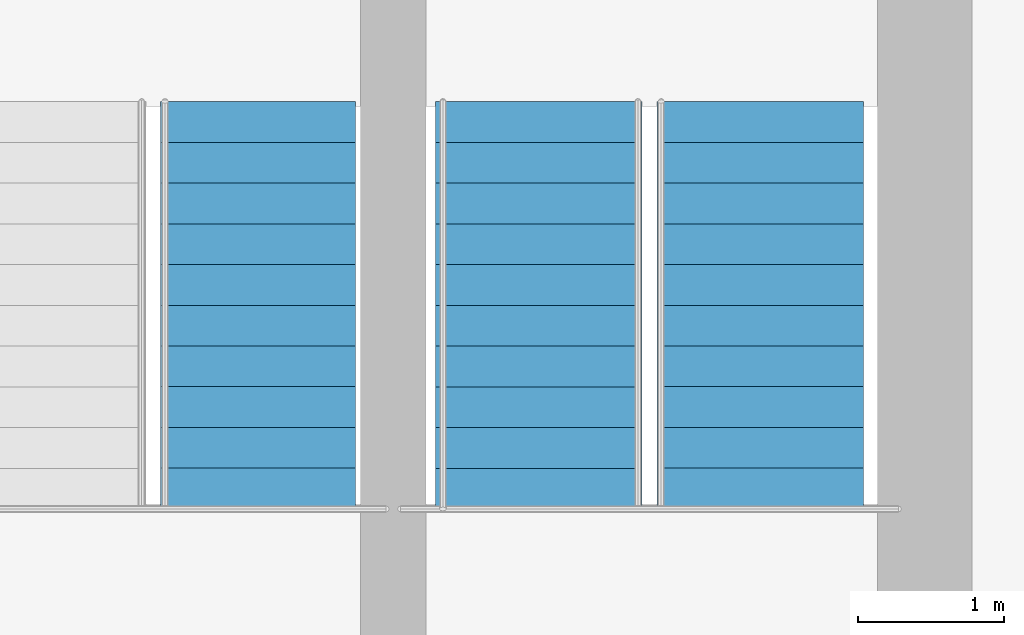
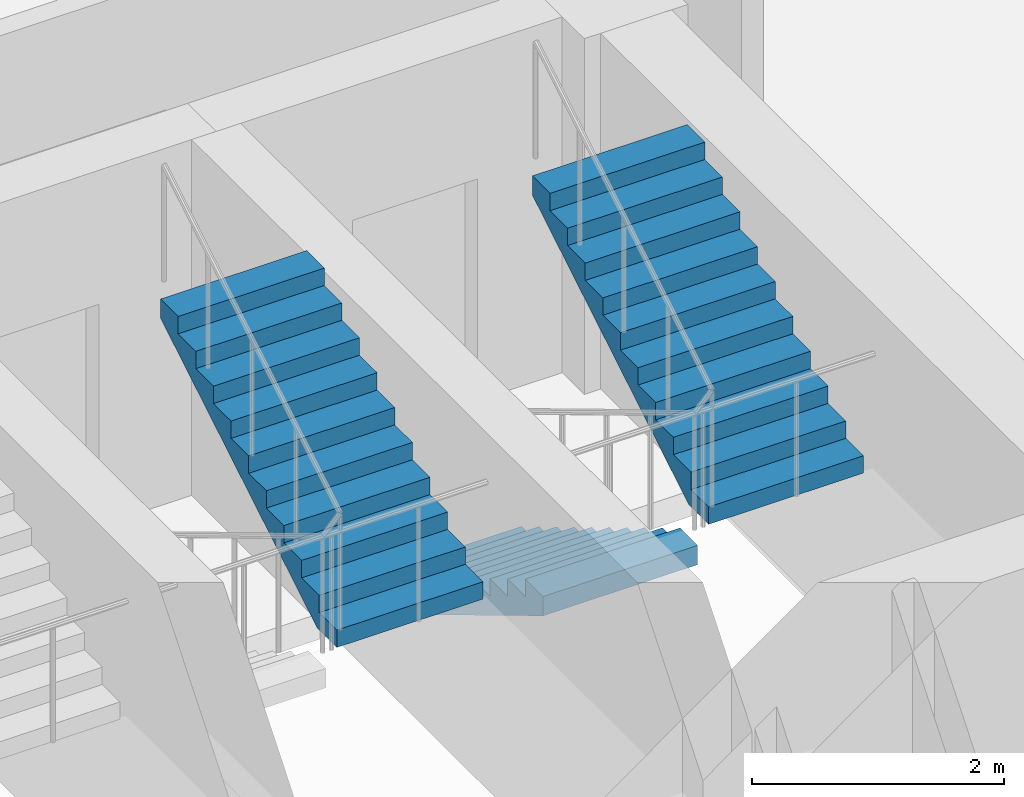
# One storey, part 25 of 26: 3 stair flights, 2 elements without a shape of their own.
"""IFC4 building model written with IfcOpenShell, lengths in metres."""

import ifcopenshell
import ifcopenshell.guid

model = None  # the IFC model being written
_history = None  # IfcOwnerHistory: only IFC2X3 demands one
_inside = {}  # id of a spatial element -> (the spatial element, [elements in it])
_under = {}  # id of a project, library or spatial element -> (it, [spatial elements below it])
_declared = {}  # id of a project -> (the project, [libraries it declares])
_typed = {}  # id of a type object -> (the type object, [elements of that type])
_made_of = {}  # id of a material, layer set ... -> (it, [elements and type objects made of it])


def new_model(schema):
    """Start an empty IFC model of exactly this schema.

    Asked for "IFC4X3", IfcOpenShell would pick the latest addendum, in which some entities
    have other attributes; the version numbers below select the first issue.
    IFC2X3 requires an IfcOwnerHistory on every rooted entity: one is made here for all.
    """
    global model, _history
    if schema == "IFC4X3":
        model = ifcopenshell.file(schema_version=(4, 3, 0, 0))
    else:
        model = ifcopenshell.file(schema=schema)
    _inside.clear()
    _under.clear()
    _declared.clear()
    _typed.clear()
    _made_of.clear()
    _history = None
    if model.schema == "IFC2X3":
        org = make("IfcOrganization", Name="unknown")
        user = make(
            "IfcPersonAndOrganization",
            ThePerson=make("IfcPerson", FamilyName="unknown"),
            TheOrganization=org,
        )
        app = make(
            "IfcApplication",
            ApplicationDeveloper=org,
            Version="unknown",
            ApplicationFullName="unknown",
            ApplicationIdentifier="unknown",
        )
        _history = make(
            "IfcOwnerHistory",
            OwningUser=user,
            OwningApplication=app,
            ChangeAction="ADDED",
            CreationDate=0,
        )
    return model


def make(cls, **values):
    """One entity of the class cls with the attributes given. An attribute that is None is left unset."""
    return model.create_entity(
        cls, **{name: value for name, value in values.items() if value is not None}
    )


def rooted(cls, **values):
    """An entity with a GlobalId (a new one), such as an element, a storey or a relation."""
    return make(cls, GlobalId=ifcopenshell.guid.new(), OwnerHistory=_history, **values)


def si_unit(unit_type, name, prefix=None):
    """IfcSIUnit, for example si_unit("LENGTHUNIT", "METRE", prefix="MILLI")."""
    return make("IfcSIUnit", UnitType=unit_type, Prefix=prefix, Name=name)


def assignment(units):
    """IfcUnitAssignment: the units of a project."""
    return None if units is None else make("IfcUnitAssignment", Units=units)


def point(xyz):
    """IfcCartesianPoint."""
    return None if xyz is None else make("IfcCartesianPoint", Coordinates=xyz)


def direction(xyz):
    """IfcDirection."""
    return None if xyz is None else make("IfcDirection", DirectionRatios=xyz)


def frame(location, z_axis=None, x_axis=None):
    """IfcAxis2Placement3D, a coordinate frame: its origin and axes. An axis left out is left unset."""
    return make(
        "IfcAxis2Placement3D",
        Location=point(location),
        Axis=direction(z_axis),
        RefDirection=direction(x_axis),
    )


def origin():
    """The frame at (0, 0, 0) with its axes left unset."""
    return frame((0.0, 0.0, 0.0))


def place(relative_to, where):
    """IfcLocalPlacement: puts the frame where relative to a parent placement (None: the world)."""
    return make(
        "IfcLocalPlacement", PlacementRelTo=relative_to, RelativePlacement=where
    )


def context(
    kind, dimensions, precision=None, world=None, true_north=None, identifier=None
):
    """IfcGeometricRepresentationContext, for example the 3D "Model" context."""
    return make(
        "IfcGeometricRepresentationContext",
        ContextIdentifier=identifier,
        ContextType=kind,
        CoordinateSpaceDimension=dimensions,
        Precision=precision,
        WorldCoordinateSystem=world,
        TrueNorth=true_north,
    )


def subcontext(parent, identifier, kind, view, scale=None):
    """IfcGeometricRepresentationSubContext, for example "Body" below "Model"."""
    return make(
        "IfcGeometricRepresentationSubContext",
        ContextIdentifier=identifier,
        ContextType=kind,
        ParentContext=parent,
        TargetScale=scale,
        TargetView=view,
    )


def project(units=None, contexts=None):
    """IfcProject with its units and contexts."""
    return rooted(
        "IfcProject",
        Name="project",
        RepresentationContexts=contexts,
        UnitsInContext=assignment(units),
    )


def spatial(cls, under=None, at=None, **own):
    """A site, building, storey or space (cls), placed at a placement, below another one or the project."""
    s = rooted(cls, ObjectPlacement=at, **own)
    if under is not None:
        _under.setdefault(under.id(), (under, []))[1].append(s)
    return s


def polyline(points):
    """IfcPolyline through the points."""
    return make("IfcPolyline", Points=[point(p) for p in points])


def outline(outer, holes=None, kind="AREA"):
    """IfcArbitraryClosedProfileDef: a profile drawn as a closed curve; with holes, ...WithVoids."""
    if holes is None:
        return make("IfcArbitraryClosedProfileDef", ProfileType=kind, OuterCurve=outer)
    return make(
        "IfcArbitraryProfileDefWithVoids",
        ProfileType=kind,
        OuterCurve=outer,
        InnerCurves=holes,
    )


def extrude(swept, where, along, depth):
    """IfcExtrudedAreaSolid: the profile swept, set in the frame where, extruded along a direction by depth."""
    return make(
        "IfcExtrudedAreaSolid",
        SweptArea=swept,
        Position=where,
        ExtrudedDirection=direction(along),
        Depth=depth,
    )


def shape(context_of_items, identifier, shape_type, items):
    """IfcShapeRepresentation: the items that make up one representation, for example the "Body"."""
    return make(
        "IfcShapeRepresentation",
        ContextOfItems=context_of_items,
        RepresentationIdentifier=identifier,
        RepresentationType=shape_type,
        Items=items,
    )


def material(Name=None, Category=None):
    """IfcMaterial."""
    return make("IfcMaterial", Name=Name, Category=Category)


def made_of(thing, what):
    """Note that an element or type object is made of a material, layer set ...; save() writes the relation."""
    if what is not None:
        _made_of.setdefault(what.id(), (what, []))[1].append(thing)
    return thing


def type_object(cls, material=None, **own):
    """A type object (cls), such as IfcWallType, which elements share."""
    return made_of(rooted(cls, **own), material)


def element(
    cls,
    number,
    at=None,
    inside=None,
    cuts=None,
    type_object=None,
    material=None,
    context=None,
    identifier="Body",
    shape_type=None,
    held_by="IfcProductDefinitionShape",
    body=None,
    shapes=None,
    **own,
):
    """One element of the class cls, such as IfcWall. Its Tag is "e" and its number.

    at: its placement. inside: the storey or other place that contains it. cuts: it is an
    opening in that element (IfcRelVoidsElement). A single representation is given by context,
    identifier, shape_type and body (its items); several are given by shapes. held_by: the class
    of the entity that holds the representations. save() writes the other relations.
    """
    e = rooted(cls, Tag="e%d" % number, ObjectPlacement=at, **own)
    if body is not None:
        shapes = [shape(context, identifier, shape_type, body)]
    if shapes is not None:
        e.Representation = make(held_by, Representations=shapes)
    if inside is not None:
        _inside.setdefault(inside.id(), (inside, []))[1].append(e)
    if cuts is not None:
        rooted(
            "IfcRelVoidsElement", RelatingBuildingElement=cuts, RelatedOpeningElement=e
        )
    if type_object is not None:
        _typed.setdefault(type_object.id(), (type_object, []))[1].append(e)
    return made_of(e, material)


def aggregate(whole, parts):
    """IfcRelAggregates: a whole, such as a stair, and the parts it consists of."""
    return rooted("IfcRelAggregates", RelatingObject=whole, RelatedObjects=parts)


def save(model, path):
    """Write the relations noted so far, then the file.

    IfcRelAggregates (storeys below a building ...), IfcRelContainedInSpatialStructure (elements
    in a storey), IfcRelDefinesByType, IfcRelAssociatesMaterial and IfcRelDeclares: one each for
    every whole, place, type object, material and project.
    """
    for whole, parts in _under.values():
        aggregate(whole, parts)
    for where, things in _inside.values():
        rooted(
            "IfcRelContainedInSpatialStructure",
            RelatedElements=things,
            RelatingStructure=where,
        )
    for kind, things in _typed.values():
        rooted("IfcRelDefinesByType", RelatedObjects=things, RelatingType=kind)
    for what, things in _made_of.values():
        rooted("IfcRelAssociatesMaterial", RelatedObjects=things, RelatingMaterial=what)
    for by, libraries in _declared.values():
        rooted("IfcRelDeclares", RelatingContext=by, RelatedDefinitions=libraries)
    model.write(path)


model = new_model("IFC4")

# Units and contexts
model_context = context("Model", 3, precision=1e-05, world=origin(), true_north=direction((0.0, 1.0)))
body_context = subcontext(model_context, "Body", "Model", "MODEL_VIEW")
ifc_project = project(units=[si_unit("LENGTHUNIT", "METRE"), si_unit("AREAUNIT", "SQUARE_METRE"), si_unit("VOLUMEUNIT", "CUBIC_METRE"), si_unit("PLANEANGLEUNIT", "RADIAN"), si_unit("MASSUNIT", "GRAM", prefix="KILO")], contexts=[model_context])

# Site, building, storey
site_placement = place(None, origin())
site = spatial("IfcSite", under=ifc_project, at=site_placement, CompositionType="ELEMENT")
building_placement = place(site_placement, origin())
building = spatial("IfcBuilding", under=site, at=building_placement, Name="Nuhasar Tower", CompositionType="ELEMENT")
storey_placement = place(building_placement, frame((0.0, 0.0, 177.449951171875)))
storey = spatial("IfcBuildingStorey", under=building, at=storey_placement, Name="L43", CompositionType="ELEMENT", Elevation=177.449951171875)

# Stair, stair flights
ifc_material = material(Name="Concrete C45/55", Category="concrete")
stair_type_1 = type_object("IfcStairType", Name="STR-ST-02-2F-22R-1682", PredefinedType="HALF_TURN_STAIR", material=ifc_material)
stair_1_placement = place(storey_placement, origin())
stair_1 = element("IfcStair", 1, at=stair_1_placement, inside=storey, type_object=stair_type_1, Name="L43 Exit Stair ST-02", PredefinedType="HALF_TURN_STAIR")
stair_flight_type_1 = type_object("IfcStairFlightType", Name="SFL-ST-02-11R-1682", PredefinedType="STRAIGHT", material=ifc_material)
stair_flight_1_placement = place(storey_placement, frame((41.64990234375, 35.284912109375, 0.0), z_axis=(0.0, 0.0, 1.0), x_axis=(0.0, -1.0, 0.0)))
stair_flight_1 = element("IfcStairFlight", 2, at=stair_flight_1_placement, type_object=stair_flight_type_1, Name="ST-02 flight 1", NumberOfRisers=11, NumberOfTreads=10, PredefinedType="STRAIGHT", RiserHeight=0.168182, TreadLength=0.28, context=body_context, shape_type="SweptSolid", body=[
    extrude(outline(polyline([(0.0, 0.0), (0.0, 0.168212890625), (0.280029296875, 0.168212890625), (0.280029296875, 0.33642578125), (0.56005859375, 0.33642578125), (0.56005859375, 0.504638671875), (0.840087890625, 0.504638671875), (0.840087890625, 0.672607421875), (1.1201171875, 0.672607421875), (1.1201171875, 0.8408203125), (1.39990234375, 0.8408203125), (1.39990234375, 1.009033203125), (1.679931640625, 1.009033203125), (1.679931640625, 1.17724609375), (1.9599609375, 1.17724609375), (1.9599609375, 1.345458984375), (2.239990234375, 1.345458984375), (2.239990234375, 1.513671875), (2.52001953125, 1.513671875), (2.52001953125, 1.681884765625), (2.800048828125, 1.681884765625), (2.800048828125, 1.85009765625), (2.800048828125, 1.495361328125), (0.310546875, 0.0), (0.0, 0.0)])), frame((0.0, 0.7099609375, 0.0), z_axis=(0.0, -1.0, 0.0), x_axis=(1.0, 0.0, 0.0)), (0.0, 0.0, 1.0), 1.419921875),
])
stair_flight_2_placement = place(storey_placement, frame((43.169921875, 32.485107421875, 1.85009765625), z_axis=(0.0, 0.0, 1.0), x_axis=(0.0, 1.0, 0.0)))
stair_flight_2 = element("IfcStairFlight", 3, at=stair_flight_2_placement, type_object=stair_flight_type_1, Name="ST-02 flight 2", NumberOfRisers=11, NumberOfTreads=10, PredefinedType="STRAIGHT", RiserHeight=0.168182, TreadLength=0.28, context=body_context, shape_type="SweptSolid", body=[
    extrude(outline(polyline([(0.0, 0.0), (0.0, 0.168212890625), (0.280029296875, 0.168212890625), (0.280029296875, 0.33642578125), (0.56005859375, 0.33642578125), (0.56005859375, 0.504638671875), (0.840087890625, 0.504638671875), (0.840087890625, 0.672607421875), (1.1201171875, 0.672607421875), (1.1201171875, 0.8408203125), (1.39990234375, 0.8408203125), (1.39990234375, 1.009033203125), (1.679931640625, 1.009033203125), (1.679931640625, 1.17724609375), (1.9599609375, 1.17724609375), (1.9599609375, 1.345458984375), (2.239990234375, 1.345458984375), (2.239990234375, 1.513671875), (2.52001953125, 1.513671875), (2.52001953125, 1.681884765625), (2.800048828125, 1.681884765625), (2.800048828125, 1.85009765625), (2.800048828125, 1.495361328125), (0.310546875, 0.0), (0.0, 0.0)])), frame((0.0, 0.7099609375, 0.0), z_axis=(0.0, -1.0, 0.0), x_axis=(1.0, 0.0, 0.0)), (0.0, 0.0, 1.0), 1.419921875),
])
aggregate(stair_1, [stair_flight_1, stair_flight_2])

# Stair, stair flight
stair_type_2 = type_object("IfcStairType", Name="STR-ST-03-2F-22R-1682", PredefinedType="HALF_TURN_STAIR", material=ifc_material)
stair_2_placement = place(storey_placement, origin())
stair_2 = element("IfcStair", 4, at=stair_2_placement, inside=storey, type_object=stair_type_2, Name="L43 Exit Stair ST-03", PredefinedType="HALF_TURN_STAIR")
stair_flight_type_2 = type_object("IfcStairFlightType", Name="SFL-ST-03-11R-1682", PredefinedType="STRAIGHT", material=ifc_material)
stair_flight_3_placement = place(storey_placement, frame((39.719970703125, 32.485107421875, 1.85009765625), z_axis=(0.0, 0.0, 1.0), x_axis=(0.0, 1.0, 0.0)))
stair_flight_3 = element("IfcStairFlight", 5, at=stair_flight_3_placement, type_object=stair_flight_type_2, Name="ST-03 flight 2", NumberOfRisers=11, NumberOfTreads=10, PredefinedType="STRAIGHT", RiserHeight=0.168182, TreadLength=0.28, context=body_context, shape_type="SweptSolid", body=[
    extrude(outline(polyline([(0.0, 0.0), (0.0, 0.168212890625), (0.280029296875, 0.168212890625), (0.280029296875, 0.33642578125), (0.56005859375, 0.33642578125), (0.56005859375, 0.504638671875), (0.840087890625, 0.504638671875), (0.840087890625, 0.672607421875), (1.1201171875, 0.672607421875), (1.1201171875, 0.8408203125), (1.39990234375, 0.8408203125), (1.39990234375, 1.009033203125), (1.679931640625, 1.009033203125), (1.679931640625, 1.17724609375), (1.9599609375, 1.17724609375), (1.9599609375, 1.345458984375), (2.239990234375, 1.345458984375), (2.239990234375, 1.513671875), (2.52001953125, 1.513671875), (2.52001953125, 1.681884765625), (2.800048828125, 1.681884765625), (2.800048828125, 1.85009765625), (2.800048828125, 1.495361328125), (0.310546875, 0.0), (0.0, 0.0)])), frame((0.0, 0.669921875, 0.0), z_axis=(0.0, -1.0, 0.0), x_axis=(1.0, 0.0, 0.0)), (0.0, 0.0, 1.0), 1.340087890625),
])
aggregate(stair_2, [stair_flight_3])

save(model, "model.ifc")
